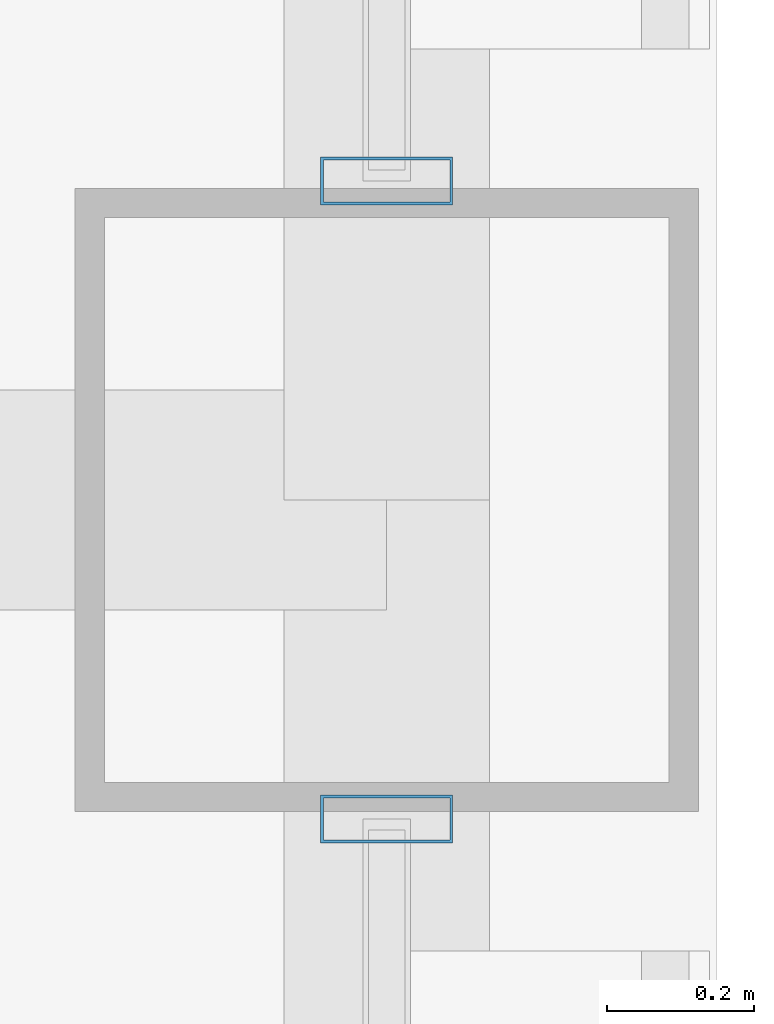
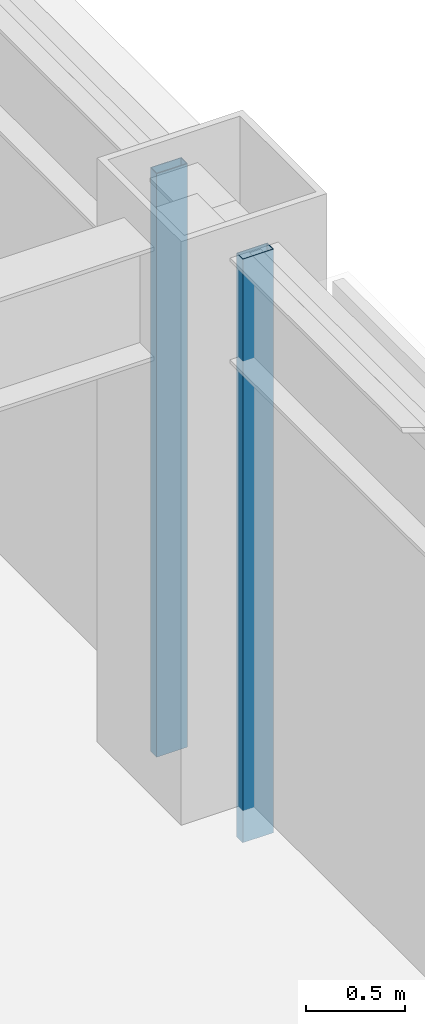
# One storey, part 20 of 34: 2 members, 2 elements without a shape of their own.
"""IFC4 building model written with IfcOpenShell, lengths in metres."""

from ifc_helpers import new_model, si_unit, direction, frame, origin, origin_2d, place, context, subcontext, project, spatial, hollow_rectangle, extrude, material, layer, layer_set, material_profile, profile_set, type_object, element, aggregate, save


model = new_model("IFC4")

# Units and contexts
model_context = context("Model", 3, precision=1e-05, world=origin(), true_north=direction((0.0, 1.0)))
body_context = subcontext(model_context, "Body", "Model", "MODEL_VIEW")
ifc_project = project(units=[si_unit("LENGTHUNIT", "METRE"), si_unit("AREAUNIT", "SQUARE_METRE"), si_unit("VOLUMEUNIT", "CUBIC_METRE"), si_unit("PLANEANGLEUNIT", "RADIAN"), si_unit("MASSUNIT", "GRAM", prefix="KILO")], contexts=[model_context])

# Site, building, storey
site_placement = place(None, origin())
site = spatial("IfcSite", under=ifc_project, at=site_placement, CompositionType="ELEMENT")
building_placement = place(site_placement, origin())
building = spatial("IfcBuilding", under=site, at=building_placement, Name="Brelmoor Portico Tower", CompositionType="ELEMENT")
storey_placement = place(building_placement, frame((0.0, 0.0, 117.0)))
storey = spatial("IfcBuildingStorey", under=building, at=storey_placement, Name="L30", CompositionType="ELEMENT", Elevation=117.0)

# Curtain wall, member
ifc_material = material(Name="Anodised Aluminium Alloy 6063-T6", Category="aluminium")
ifc_layer = layer(ifc_material, 0.179931640625)
ifc_layer_set = layer_set([ifc_layer], Name="Anodised Aluminium Alloy 6063-T6")
curtain_wall_type = type_object("IfcCurtainWallType", Name="CW-TOWER-Z2-XB", PredefinedType="NOTDEFINED", material=ifc_layer_set)
curtain_wall_1_placement = place(storey_placement, origin())
curtain_wall_1 = element("IfcCurtainWall", 1, at=curtain_wall_1_placement, inside=storey, type_object=curtain_wall_type, Name="L30 Curtain Wall CW-L30-04-2", PredefinedType="NOTDEFINED")
ifc_material_profile = material_profile(ifc_material, hollow_rectangle(XDim=0.06494140625, YDim=0.179931640625, WallThickness=0.00390625, at=origin_2d()), Name="ALU MULLION 65x180")
ifc_profile_set = profile_set([ifc_material_profile], Name="Anodised Aluminium Alloy 6063-T6")
member_type = type_object("IfcMemberType", Name="MB-CW-MULL-180", PredefinedType="MULLION", material=ifc_profile_set)
member_1_placement = place(storey_placement, frame((22.550048828125, 9.31494140625, -0.199951171875), z_axis=(0.0, 0.0, 1.0), x_axis=(0.0, 1.0, 0.0)))
member_1 = element("IfcMember", 2, at=member_1_placement, type_object=member_type, Name="CW-L30-04-2 Mullion 02", PredefinedType="MULLION", context=body_context, shape_type="SweptSolid", body=[
    extrude(hollow_rectangle(XDim=0.06494140625, YDim=0.179931640625, WallThickness=0.00390625, at=origin_2d()), origin(), (0.0, 0.0, 1.0), 3.599853515625),
])
aggregate(curtain_wall_1, [member_1])

curtain_wall_2_placement = place(storey_placement, origin())
curtain_wall_2 = element("IfcCurtainWall", 3, at=curtain_wall_2_placement, inside=storey, type_object=curtain_wall_type, Name="L30 Curtain Wall CW-L30-04-3", PredefinedType="NOTDEFINED")
member_2_placement = place(storey_placement, frame((22.550048828125, 10.18505859375, -0.199951171875), z_axis=(0.0, 0.0, 1.0), x_axis=(0.0, 1.0, 0.0)))
member_2 = element("IfcMember", 4, at=member_2_placement, type_object=member_type, Name="CW-L30-04-3 Mullion 00", PredefinedType="MULLION", context=body_context, shape_type="SweptSolid", body=[
    extrude(hollow_rectangle(XDim=0.06494140625, YDim=0.179931640625, WallThickness=0.00390625, at=origin_2d()), origin(), (0.0, 0.0, 1.0), 3.599853515625),
])
aggregate(curtain_wall_2, [member_2])

save(model, "model.ifc")
